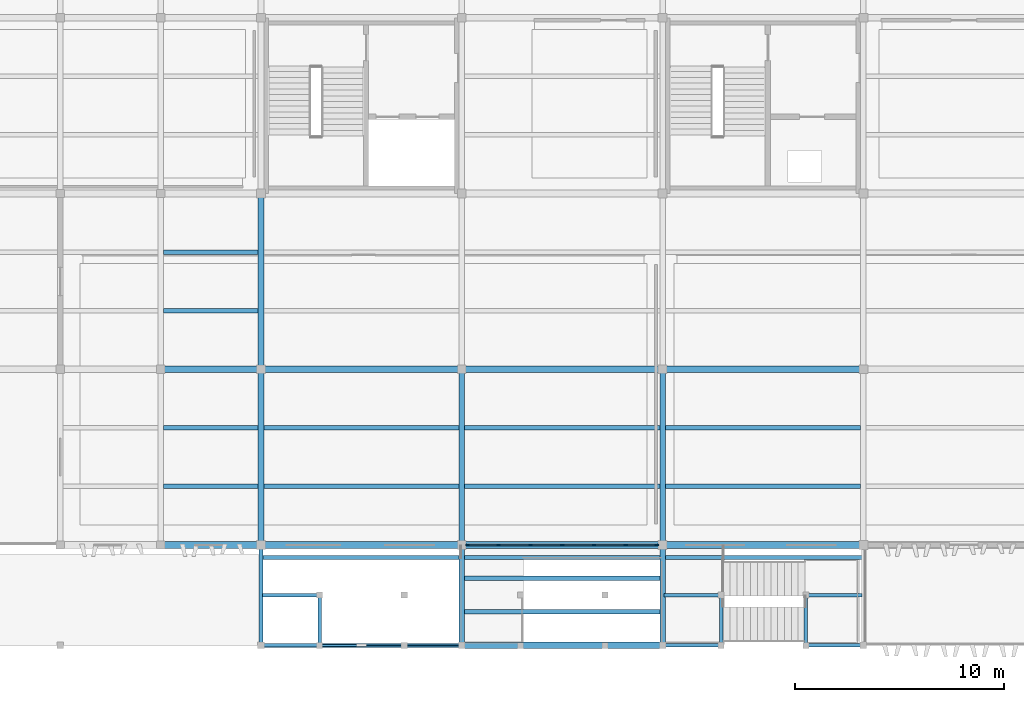
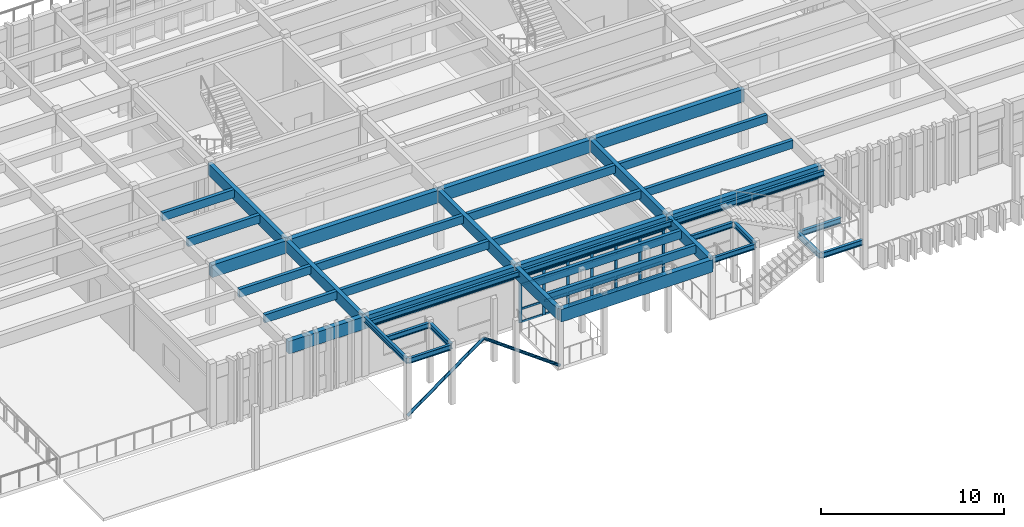
# One storey, part 13 of 61: 40 beams, 33 members, 1 element without a shape of its own.
"""IFC4 building model written with IfcOpenShell, lengths in metres."""

import ifcopenshell
import ifcopenshell.guid

model = None  # the IFC model being written
_history = None  # IfcOwnerHistory: only IFC2X3 demands one
_inside = {}  # id of a spatial element -> (the spatial element, [elements in it])
_under = {}  # id of a project, library or spatial element -> (it, [spatial elements below it])
_declared = {}  # id of a project -> (the project, [libraries it declares])
_typed = {}  # id of a type object -> (the type object, [elements of that type])
_made_of = {}  # id of a material, layer set ... -> (it, [elements and type objects made of it])


def new_model(schema):
    """Start an empty IFC model of exactly this schema.

    Asked for "IFC4X3", IfcOpenShell would pick the latest addendum, in which some entities
    have other attributes; the version numbers below select the first issue.
    IFC2X3 requires an IfcOwnerHistory on every rooted entity: one is made here for all.
    """
    global model, _history
    if schema == "IFC4X3":
        model = ifcopenshell.file(schema_version=(4, 3, 0, 0))
    else:
        model = ifcopenshell.file(schema=schema)
    _inside.clear()
    _under.clear()
    _declared.clear()
    _typed.clear()
    _made_of.clear()
    _history = None
    if model.schema == "IFC2X3":
        org = make("IfcOrganization", Name="unknown")
        user = make(
            "IfcPersonAndOrganization",
            ThePerson=make("IfcPerson", FamilyName="unknown"),
            TheOrganization=org,
        )
        app = make(
            "IfcApplication",
            ApplicationDeveloper=org,
            Version="unknown",
            ApplicationFullName="unknown",
            ApplicationIdentifier="unknown",
        )
        _history = make(
            "IfcOwnerHistory",
            OwningUser=user,
            OwningApplication=app,
            ChangeAction="ADDED",
            CreationDate=0,
        )
    return model


def make(cls, **values):
    """One entity of the class cls with the attributes given. An attribute that is None is left unset."""
    return model.create_entity(
        cls, **{name: value for name, value in values.items() if value is not None}
    )


def rooted(cls, **values):
    """An entity with a GlobalId (a new one), such as an element, a storey or a relation."""
    return make(cls, GlobalId=ifcopenshell.guid.new(), OwnerHistory=_history, **values)


def si_unit(unit_type, name, prefix=None):
    """IfcSIUnit, for example si_unit("LENGTHUNIT", "METRE", prefix="MILLI")."""
    return make("IfcSIUnit", UnitType=unit_type, Prefix=prefix, Name=name)


def assignment(units):
    """IfcUnitAssignment: the units of a project."""
    return None if units is None else make("IfcUnitAssignment", Units=units)


def point(xyz):
    """IfcCartesianPoint."""
    return None if xyz is None else make("IfcCartesianPoint", Coordinates=xyz)


def direction(xyz):
    """IfcDirection."""
    return None if xyz is None else make("IfcDirection", DirectionRatios=xyz)


def frame(location, z_axis=None, x_axis=None):
    """IfcAxis2Placement3D, a coordinate frame: its origin and axes. An axis left out is left unset."""
    return make(
        "IfcAxis2Placement3D",
        Location=point(location),
        Axis=direction(z_axis),
        RefDirection=direction(x_axis),
    )


def frame_2d(location, x_axis=None):
    """IfcAxis2Placement2D, a coordinate frame in the plane: its origin and x axis."""
    return make(
        "IfcAxis2Placement2D", Location=point(location), RefDirection=direction(x_axis)
    )


def origin():
    """The frame at (0, 0, 0) with its axes left unset."""
    return frame((0.0, 0.0, 0.0))


def origin_2d():
    """The frame at (0, 0) in the plane with its x axis left unset."""
    return frame_2d((0.0, 0.0))


def place(relative_to, where):
    """IfcLocalPlacement: puts the frame where relative to a parent placement (None: the world)."""
    return make(
        "IfcLocalPlacement", PlacementRelTo=relative_to, RelativePlacement=where
    )


def context(
    kind, dimensions, precision=None, world=None, true_north=None, identifier=None
):
    """IfcGeometricRepresentationContext, for example the 3D "Model" context."""
    return make(
        "IfcGeometricRepresentationContext",
        ContextIdentifier=identifier,
        ContextType=kind,
        CoordinateSpaceDimension=dimensions,
        Precision=precision,
        WorldCoordinateSystem=world,
        TrueNorth=true_north,
    )


def subcontext(parent, identifier, kind, view, scale=None):
    """IfcGeometricRepresentationSubContext, for example "Body" below "Model"."""
    return make(
        "IfcGeometricRepresentationSubContext",
        ContextIdentifier=identifier,
        ContextType=kind,
        ParentContext=parent,
        TargetScale=scale,
        TargetView=view,
    )


def project(units=None, contexts=None):
    """IfcProject with its units and contexts."""
    return rooted(
        "IfcProject",
        Name="project",
        RepresentationContexts=contexts,
        UnitsInContext=assignment(units),
    )


def spatial(cls, under=None, at=None, **own):
    """A site, building, storey or space (cls), placed at a placement, below another one or the project."""
    s = rooted(cls, ObjectPlacement=at, **own)
    if under is not None:
        _under.setdefault(under.id(), (under, []))[1].append(s)
    return s


def profile(cls, at=None, kind="AREA", **sizes):
    """A parametric profile (cls). Its sizes go by their IFC names, for example OverallWidth=200.0."""
    return make(cls, ProfileType=kind, Position=at, **sizes)


def rectangle(**sizes):
    """IfcRectangleProfileDef."""
    return profile("IfcRectangleProfileDef", **sizes)


def hollow_circle(**sizes):
    """IfcCircleHollowProfileDef."""
    return profile("IfcCircleHollowProfileDef", **sizes)


def i_section(**sizes):
    """IfcIShapeProfileDef."""
    return profile("IfcIShapeProfileDef", **sizes)


def extrude(swept, where, along, depth):
    """IfcExtrudedAreaSolid: the profile swept, set in the frame where, extruded along a direction by depth."""
    return make(
        "IfcExtrudedAreaSolid",
        SweptArea=swept,
        Position=where,
        ExtrudedDirection=direction(along),
        Depth=depth,
    )


def shape(context_of_items, identifier, shape_type, items):
    """IfcShapeRepresentation: the items that make up one representation, for example the "Body"."""
    return make(
        "IfcShapeRepresentation",
        ContextOfItems=context_of_items,
        RepresentationIdentifier=identifier,
        RepresentationType=shape_type,
        Items=items,
    )


def material(Name=None, Category=None):
    """IfcMaterial."""
    return make("IfcMaterial", Name=Name, Category=Category)


def layer(
    of_material, thickness, ventilated=None, Name=None, Category=None, Priority=None
):
    """IfcMaterialLayer: one layer of a wall or slab, of a material (None: an air gap)."""
    return make(
        "IfcMaterialLayer",
        Material=of_material,
        LayerThickness=thickness,
        IsVentilated=ventilated,
        Name=Name,
        Category=Category,
        Priority=Priority,
    )


def layer_set(layers, Name=None):
    """IfcMaterialLayerSet."""
    return make("IfcMaterialLayerSet", MaterialLayers=layers, LayerSetName=Name)


def material_profile(
    of_material, cross_section, Name=None, Category=None, Priority=None
):
    """IfcMaterialProfile: a cross section and its material."""
    return make(
        "IfcMaterialProfile",
        Name=Name,
        Material=of_material,
        Profile=cross_section,
        Priority=Priority,
        Category=Category,
    )


def profile_set(profiles, Name=None, composite=None):
    """IfcMaterialProfileSet."""
    return make(
        "IfcMaterialProfileSet",
        Name=Name,
        MaterialProfiles=profiles,
        CompositeProfile=composite,
    )


def made_of(thing, what):
    """Note that an element or type object is made of a material, layer set ...; save() writes the relation."""
    if what is not None:
        _made_of.setdefault(what.id(), (what, []))[1].append(thing)
    return thing


def type_object(cls, material=None, **own):
    """A type object (cls), such as IfcWallType, which elements share."""
    return made_of(rooted(cls, **own), material)


def element(
    cls,
    number,
    at=None,
    inside=None,
    cuts=None,
    type_object=None,
    material=None,
    context=None,
    identifier="Body",
    shape_type=None,
    held_by="IfcProductDefinitionShape",
    body=None,
    shapes=None,
    **own,
):
    """One element of the class cls, such as IfcWall. Its Tag is "e" and its number.

    at: its placement. inside: the storey or other place that contains it. cuts: it is an
    opening in that element (IfcRelVoidsElement). A single representation is given by context,
    identifier, shape_type and body (its items); several are given by shapes. held_by: the class
    of the entity that holds the representations. save() writes the other relations.
    """
    e = rooted(cls, Tag="e%d" % number, ObjectPlacement=at, **own)
    if body is not None:
        shapes = [shape(context, identifier, shape_type, body)]
    if shapes is not None:
        e.Representation = make(held_by, Representations=shapes)
    if inside is not None:
        _inside.setdefault(inside.id(), (inside, []))[1].append(e)
    if cuts is not None:
        rooted(
            "IfcRelVoidsElement", RelatingBuildingElement=cuts, RelatedOpeningElement=e
        )
    if type_object is not None:
        _typed.setdefault(type_object.id(), (type_object, []))[1].append(e)
    return made_of(e, material)


def aggregate(whole, parts):
    """IfcRelAggregates: a whole, such as a stair, and the parts it consists of."""
    return rooted("IfcRelAggregates", RelatingObject=whole, RelatedObjects=parts)


def save(model, path):
    """Write the relations noted so far, then the file.

    IfcRelAggregates (storeys below a building ...), IfcRelContainedInSpatialStructure (elements
    in a storey), IfcRelDefinesByType, IfcRelAssociatesMaterial and IfcRelDeclares: one each for
    every whole, place, type object, material and project.
    """
    for whole, parts in _under.values():
        aggregate(whole, parts)
    for where, things in _inside.values():
        rooted(
            "IfcRelContainedInSpatialStructure",
            RelatedElements=things,
            RelatingStructure=where,
        )
    for kind, things in _typed.values():
        rooted("IfcRelDefinesByType", RelatedObjects=things, RelatingType=kind)
    for what, things in _made_of.values():
        rooted("IfcRelAssociatesMaterial", RelatedObjects=things, RelatingMaterial=what)
    for by, libraries in _declared.values():
        rooted("IfcRelDeclares", RelatingContext=by, RelatedDefinitions=libraries)
    model.write(path)


model = new_model("IFC4")

# Units and contexts
model_context = context("Model", 3, precision=1e-05, world=origin(), true_north=direction((0.0, 1.0)))
body_context = subcontext(model_context, "Body", "Model", "MODEL_VIEW")
ifc_project = project(units=[si_unit("LENGTHUNIT", "METRE"), si_unit("AREAUNIT", "SQUARE_METRE"), si_unit("VOLUMEUNIT", "CUBIC_METRE"), si_unit("PLANEANGLEUNIT", "RADIAN"), si_unit("MASSUNIT", "GRAM", prefix="KILO")], contexts=[model_context])

# Site, building, storey
site_placement = place(None, origin())
site = spatial("IfcSite", under=ifc_project, at=site_placement, CompositionType="ELEMENT")
building_placement = place(site_placement, origin())
building = spatial("IfcBuilding", under=site, at=building_placement, Name="Kolvemor Railside Polytechnic", CompositionType="ELEMENT")
storey_placement = place(building_placement, frame((0.0, 0.0, 10.199951171875)))
storey = spatial("IfcBuildingStorey", under=building, at=storey_placement, Name="L02", CompositionType="ELEMENT", Elevation=10.199951171875)

# Beams
ifc_material_1 = material(Name="Glulam GL28h", Category="wood")
ifc_material_profile_1 = material_profile(ifc_material_1, rectangle(XDim=0.264892578125, YDim=0.760009765625, at=origin_2d()), Name="GL265x760")
ifc_profile_set_1 = profile_set([ifc_material_profile_1], Name="Glulam GL28h")
beam_type_1 = type_object("IfcBeamType", Name="BM-GL-GIRD1", PredefinedType="BEAM", material=ifc_profile_set_1)
beam_1_placement = place(storey_placement, frame((67.199951171875, 4.800048828125, 3.570068359375), z_axis=(0.0, 1.0, 0.0), x_axis=(-1.0, 0.0, 0.0)))
element("IfcBeam", 1, at=beam_1_placement, inside=storey, type_object=beam_type_1, Name="Primary Girder L03-GY 1269", PredefinedType="BEAM", context=body_context, shape_type="SweptSolid", body=[
    extrude(rectangle(XDim=0.264892578125, YDim=0.760009765625, at=origin_2d()), origin(), (0.0, 0.0, 1.0), 8.39990234375),
])
beam_2_placement = place(storey_placement, frame((67.199951171875, 13.199951171875, 3.570068359375), z_axis=(0.0, 1.0, 0.0), x_axis=(-1.0, 0.0, 0.0)))
element("IfcBeam", 2, at=beam_2_placement, inside=storey, type_object=beam_type_1, Name="Primary Girder L03-GY 1270", PredefinedType="BEAM", context=body_context, shape_type="SweptSolid", body=[
    extrude(rectangle(XDim=0.264892578125, YDim=0.760009765625, at=origin_2d()), origin(), (0.0, 0.0, 1.0), 8.400146484375),
])
for number, where, z_axis, x_axis, name in (
    (3, (76.800048828125, 4.800048828125, 3.570068359375), (0.0, 1.0, 0.0), (-1.0, 0.0, 0.0), "Primary Girder L03-GY 1273"),
    (4, (86.39990234375, 4.800048828125, 3.570068359375), (0.0, 1.0, 0.0), (-1.0, 0.0, 0.0), "Primary Girder L03-GY 1277"),
):
    element("IfcBeam", number, at=place(storey_placement, frame(where, z_axis=z_axis, x_axis=x_axis)), inside=storey, type_object=beam_type_1, Name=name, PredefinedType="BEAM", context=body_context, shape_type="SweptSolid", body=[
        extrude(rectangle(XDim=0.264892578125, YDim=0.760009765625, at=origin_2d()), origin(), (0.0, 0.0, 1.0), 8.39990234375),
    ])
for number, where, z_axis, x_axis, name in (
    (5, (76.800048828125, 0.0, 3.570068359375), (0.0, 1.0, 0.0), (-1.0, 0.0, 0.0), "Primary Girder L03-GY 1921"),
    (6, (86.39990234375, 0.0, 3.570068359375), (0.0, 1.0, 0.0), (-1.0, 0.0, 0.0), "Primary Girder L03-GY 1922"),
):
    element("IfcBeam", number, at=place(storey_placement, frame(where, z_axis=z_axis, x_axis=x_axis)), inside=storey, type_object=beam_type_1, Name=name, PredefinedType="BEAM", context=body_context, shape_type="SweptSolid", body=[
        extrude(rectangle(XDim=0.264892578125, YDim=0.760009765625, at=origin_2d()), origin(), (0.0, 0.0, 1.0), 4.800048828125),
    ])
ifc_material_2 = material(Name="Glulam GL28h", Category="wood")
ifc_material_profile_2 = material_profile(ifc_material_2, rectangle(XDim=0.31494140625, YDim=0.840087890625, at=origin_2d()), Name="GL315x840")
ifc_profile_set_2 = profile_set([ifc_material_profile_2], Name="Glulam GL28h")
beam_type_2 = type_object("IfcBeamType", Name="BM-GL-GIRD3", PredefinedType="BEAM", material=ifc_profile_set_2)
beam_3_placement = place(storey_placement, frame((62.39990234375, 4.800048828125, 3.530029296875), z_axis=(1.0, 0.0, 0.0), x_axis=(0.0, 1.0, 0.0)))
element("IfcBeam", 7, at=beam_3_placement, inside=storey, type_object=beam_type_2, Name="Primary Girder L03-GX 1217", PredefinedType="BEAM", context=body_context, shape_type="SweptSolid", body=[
    extrude(rectangle(XDim=0.31494140625, YDim=0.840087890625, at=origin_2d()), origin(), (0.0, 0.0, 1.0), 4.800048828125),
])
beam_4_placement = place(storey_placement, frame((67.199951171875, 4.800048828125, 3.530029296875), z_axis=(1.0, 0.0, 0.0), x_axis=(0.0, 1.0, 0.0)))
element("IfcBeam", 8, at=beam_4_placement, inside=storey, type_object=beam_type_2, Name="Primary Girder L03-GX 1218", PredefinedType="BEAM", context=body_context, shape_type="SweptSolid", body=[
    extrude(rectangle(XDim=0.31494140625, YDim=0.840087890625, at=origin_2d()), origin(), (0.0, 0.0, 1.0), 9.60009765625),
])
beam_5_placement = place(storey_placement, frame((76.800048828125, 4.800048828125, 3.530029296875), z_axis=(1.0, 0.0, 0.0), x_axis=(0.0, 1.0, 0.0)))
element("IfcBeam", 9, at=beam_5_placement, inside=storey, type_object=beam_type_2, Name="Primary Girder L03-GX 1219", PredefinedType="BEAM", context=body_context, shape_type="SweptSolid", body=[
    extrude(rectangle(XDim=0.31494140625, YDim=0.840087890625, at=origin_2d()), origin(), (0.0, 0.0, 1.0), 9.599853515625),
])
beam_6_placement = place(storey_placement, frame((86.39990234375, 4.800048828125, 3.530029296875), z_axis=(1.0, 0.0, 0.0), x_axis=(0.0, 1.0, 0.0)))
element("IfcBeam", 10, at=beam_6_placement, inside=storey, type_object=beam_type_2, Name="Primary Girder L03-GX 1220", PredefinedType="BEAM", context=body_context, shape_type="SweptSolid", body=[
    extrude(rectangle(XDim=0.31494140625, YDim=0.840087890625, at=origin_2d()), origin(), (0.0, 0.0, 1.0), 9.60009765625),
])
beam_7_placement = place(storey_placement, frame((62.39990234375, 13.199951171875, 3.530029296875), z_axis=(1.0, 0.0, 0.0), x_axis=(0.0, 1.0, 0.0)))
element("IfcBeam", 11, at=beam_7_placement, inside=storey, type_object=beam_type_2, Name="Primary Girder L03-GX 1226", PredefinedType="BEAM", context=body_context, shape_type="SweptSolid", body=[
    extrude(rectangle(XDim=0.31494140625, YDim=0.840087890625, at=origin_2d()), origin(), (0.0, 0.0, 1.0), 4.800048828125),
])
beam_8_placement = place(storey_placement, frame((67.199951171875, 13.199951171875, 3.530029296875), z_axis=(1.0, 0.0, 0.0), x_axis=(0.0, 1.0, 0.0)))
element("IfcBeam", 12, at=beam_8_placement, inside=storey, type_object=beam_type_2, Name="Primary Girder L03-GX 1227", PredefinedType="BEAM", context=body_context, shape_type="SweptSolid", body=[
    extrude(rectangle(XDim=0.31494140625, YDim=0.840087890625, at=origin_2d()), origin(), (0.0, 0.0, 1.0), 9.60009765625),
])
beam_9_placement = place(storey_placement, frame((76.800048828125, 13.199951171875, 3.530029296875), z_axis=(1.0, 0.0, 0.0), x_axis=(0.0, 1.0, 0.0)))
element("IfcBeam", 13, at=beam_9_placement, inside=storey, type_object=beam_type_2, Name="Primary Girder L03-GX 1228", PredefinedType="BEAM", context=body_context, shape_type="SweptSolid", body=[
    extrude(rectangle(XDim=0.31494140625, YDim=0.840087890625, at=origin_2d()), origin(), (0.0, 0.0, 1.0), 9.599853515625),
])
beam_10_placement = place(storey_placement, frame((86.39990234375, 13.199951171875, 3.530029296875), z_axis=(1.0, 0.0, 0.0), x_axis=(0.0, 1.0, 0.0)))
element("IfcBeam", 14, at=beam_10_placement, inside=storey, type_object=beam_type_2, Name="Primary Girder L03-GX 1229", PredefinedType="BEAM", context=body_context, shape_type="SweptSolid", body=[
    extrude(rectangle(XDim=0.31494140625, YDim=0.840087890625, at=origin_2d()), origin(), (0.0, 0.0, 1.0), 9.60009765625),
])
beam_11_placement = place(storey_placement, frame((76.800048828125, 0.0, 3.530029296875), z_axis=(1.0, 0.0, 0.0), x_axis=(0.0, 1.0, 0.0)))
element("IfcBeam", 15, at=beam_11_placement, inside=storey, type_object=beam_type_2, Name="Primary Girder L03-GX 1920", PredefinedType="BEAM", context=body_context, shape_type="SweptSolid", body=[
    extrude(rectangle(XDim=0.31494140625, YDim=0.840087890625, at=origin_2d()), origin(), (0.0, 0.0, 1.0), 9.599853515625),
])
ifc_material_3 = material(Name="Glulam GL28h", Category="wood")
ifc_material_profile_3 = material_profile(ifc_material_3, rectangle(XDim=0.215087890625, YDim=0.5400390625, at=origin_2d()), Name="GL215x540")
ifc_profile_set_3 = profile_set([ifc_material_profile_3], Name="Glulam GL28h")
beam_type_3 = type_object("IfcBeamType", Name="BM-GL-JST1", PredefinedType="JOIST", material=ifc_profile_set_3)
for number, where, z_axis, x_axis, name in (
    (16, (62.532958984375, 7.60009765625, 3.679931640625), (1.0, 0.0, 0.0), (0.0, 1.0, 0.0), "Floor Joist L03-J1309"),
    (17, (62.532958984375, 10.39990234375, 3.679931640625), (1.0, 0.0, 0.0), (0.0, 1.0, 0.0), "Floor Joist L03-J1310"),
    (18, (62.532958984375, 16.0, 3.679931640625), (1.0, 0.0, 0.0), (0.0, 1.0, 0.0), "Floor Joist L03-J1311"),
    (19, (62.532958984375, 18.800048828125, 3.679931640625), (1.0, 0.0, 0.0), (0.0, 1.0, 0.0), "Floor Joist L03-J1312"),
):
    element("IfcBeam", number, at=place(storey_placement, frame(where, z_axis=z_axis, x_axis=x_axis)), inside=storey, type_object=beam_type_3, Name=name, PredefinedType="JOIST", context=body_context, shape_type="SweptSolid", body=[
        extrude(rectangle(XDim=0.215087890625, YDim=0.5400390625, at=origin_2d()), origin(), (0.0, 0.0, 1.0), 4.533935546875),
    ])
for number, where, z_axis, x_axis, name in (
    (20, (67.3330078125, 7.60009765625, 3.679931640625), (1.0, 0.0, 0.0), (0.0, 1.0, 0.0), "Floor Joist L03-J1317"),
    (21, (67.3330078125, 10.39990234375, 3.679931640625), (1.0, 0.0, 0.0), (0.0, 1.0, 0.0), "Floor Joist L03-J1318"),
    (22, (76.93310546875, 7.60009765625, 3.679931640625), (1.0, 0.0, 0.0), (0.0, 1.0, 0.0), "Floor Joist L03-J1323"),
    (23, (76.93310546875, 10.39990234375, 3.679931640625), (1.0, 0.0, 0.0), (0.0, 1.0, 0.0), "Floor Joist L03-J1324"),
    (24, (86.532958984375, 7.60009765625, 3.679931640625), (1.0, 0.0, 0.0), (0.0, 1.0, 0.0), "Floor Joist L03-J1331"),
    (25, (86.532958984375, 10.39990234375, 3.679931640625), (1.0, 0.0, 0.0), (0.0, 1.0, 0.0), "Floor Joist L03-J1332"),
    (26, (76.93310546875, 1.60009765625, 3.679931640625), (1.0, 0.0, 0.0), (0.0, 1.0, 0.0), "Floor Joist L03-J1923"),
    (27, (76.93310546875, 3.199951171875, 3.679931640625), (1.0, 0.0, 0.0), (0.0, 1.0, 0.0), "Floor Joist L03-J1924"),
):
    element("IfcBeam", number, at=place(storey_placement, frame(where, z_axis=z_axis, x_axis=x_axis)), inside=storey, type_object=beam_type_3, Name=name, PredefinedType="JOIST", context=body_context, shape_type="SweptSolid", body=[
        extrude(rectangle(XDim=0.215087890625, YDim=0.5400390625, at=origin_2d()), origin(), (0.0, 0.0, 1.0), 9.333984375),
    ])
ifc_material_4 = material(Name="Steel S355", Category="steel")
ifc_material_profile_4 = material_profile(ifc_material_4, i_section(OverallWidth=0.172119140625, OverallDepth=0.35791015625, WebThickness=0.0078125, FlangeThickness=0.01318359375, FilletRadius=0.010986328125, at=origin_2d()), Name="W360x57")
ifc_profile_set_4 = profile_set([ifc_material_profile_4], Name="Steel S355")
beam_type_4 = type_object("IfcBeamType", Name="BM-ST-COLL", PredefinedType="BEAM", material=ifc_profile_set_4)
beam_12_placement = place(storey_placement, frame((89.199951171875, 0.0, 3.801025390625), z_axis=(0.0, 1.0, 0.0), x_axis=(-1.0, 0.0, 0.0)))
element("IfcBeam", 28, at=beam_12_placement, inside=storey, type_object=beam_type_4, Name="Zigzag Stair Top Beam L03 2053", PredefinedType="BEAM", context=body_context, shape_type="SweptSolid", body=[
    extrude(i_section(OverallWidth=0.172119140625, OverallDepth=0.35791015625, WebThickness=0.0078125, FlangeThickness=0.01318359375, FilletRadius=0.010986328125, at=origin_2d()), origin(), (0.0, 0.0, 1.0), 2.39990234375),
])
for number, where, z_axis, x_axis, name in (
    (29, (86.47509765625, 0.0, 3.801025390625), (1.0, 0.0, 0.0), (0.0, 1.0, 0.0), "Zigzag Stair Top Tie L03 2054"),
    (30, (86.47509765625, 2.39990234375, 3.801025390625), (1.0, 0.0, 0.0), (0.0, 1.0, 0.0), "Zigzag Stair Top Tie L03 2055"),
):
    element("IfcBeam", number, at=place(storey_placement, frame(where, z_axis=z_axis, x_axis=x_axis)), inside=storey, type_object=beam_type_4, Name=name, PredefinedType="BEAM", context=body_context, shape_type="SweptSolid", body=[
        extrude(i_section(OverallWidth=0.172119140625, OverallDepth=0.35791015625, WebThickness=0.0078125, FlangeThickness=0.01318359375, FilletRadius=0.010986328125, at=origin_2d()), origin(), (0.0, 0.0, 1.0), 2.64990234375),
    ])
beam_13_placement = place(storey_placement, frame((67.199951171875, 0.0, 3.801025390625), z_axis=(0.0, 1.0, 0.0), x_axis=(-1.0, 0.0, 0.0)))
element("IfcBeam", 31, at=beam_13_placement, inside=storey, type_object=beam_type_4, Name="Zigzag Stair Departure Beam L03 2056", PredefinedType="BEAM", context=body_context, shape_type="SweptSolid", body=[
    extrude(i_section(OverallWidth=0.172119140625, OverallDepth=0.35791015625, WebThickness=0.0078125, FlangeThickness=0.01318359375, FilletRadius=0.010986328125, at=origin_2d()), origin(), (0.0, 0.0, 1.0), 4.800048828125),
])
beam_14_placement = place(storey_placement, frame((70.0, 0.0, 3.801025390625), z_axis=(0.0, 1.0, 0.0), x_axis=(-1.0, 0.0, 0.0)))
element("IfcBeam", 32, at=beam_14_placement, inside=storey, type_object=beam_type_4, Name="Zigzag Stair Departure Beam L03 2057", PredefinedType="BEAM", context=body_context, shape_type="SweptSolid", body=[
    extrude(i_section(OverallWidth=0.172119140625, OverallDepth=0.35791015625, WebThickness=0.0078125, FlangeThickness=0.01318359375, FilletRadius=0.010986328125, at=origin_2d()), origin(), (0.0, 0.0, 1.0), 2.39990234375),
])
for number, where, z_axis, x_axis, name in (
    (33, (67.27490234375, 0.0, 3.801025390625), (1.0, 0.0, 0.0), (0.0, 1.0, 0.0), "Zigzag Stair Departure Tie L03 2058"),
    (34, (67.27490234375, 2.39990234375, 3.801025390625), (1.0, 0.0, 0.0), (0.0, 1.0, 0.0), "Zigzag Stair Departure Tie L03 2059"),
):
    element("IfcBeam", number, at=place(storey_placement, frame(where, z_axis=z_axis, x_axis=x_axis)), inside=storey, type_object=beam_type_4, Name=name, PredefinedType="BEAM", context=body_context, shape_type="SweptSolid", body=[
        extrude(i_section(OverallWidth=0.172119140625, OverallDepth=0.35791015625, WebThickness=0.0078125, FlangeThickness=0.01318359375, FilletRadius=0.010986328125, at=origin_2d()), origin(), (0.0, 0.0, 1.0), 2.650146484375),
    ])
for number, where, z_axis, x_axis, name in (
    (35, (67.280029296875, 4.199951171875, 3.7861328125), (1.0, 0.0, 0.0), (0.0, 1.0, 0.0), "Zigzag Rear Gallery Beam L03 2060"),
    (36, (76.93798828125, 4.199951171875, 3.7861328125), (1.0, 0.0, 0.0), (0.0, 1.0, 0.0), "Zigzag Rear Gallery Beam L03 2061"),
):
    element("IfcBeam", number, at=place(storey_placement, frame(where, z_axis=z_axis, x_axis=x_axis)), inside=storey, type_object=beam_type_4, Name=name, PredefinedType="BEAM", context=body_context, shape_type="SweptSolid", body=[
        extrude(i_section(OverallWidth=0.172119140625, OverallDepth=0.35791015625, WebThickness=0.0078125, FlangeThickness=0.01318359375, FilletRadius=0.010986328125, at=origin_2d()), origin(), (0.0, 0.0, 1.0), 9.382080078125),
    ])
beam_15_placement = place(storey_placement, frame((86.47998046875, 4.199951171875, 3.7861328125), z_axis=(1.0, 0.0, 0.0), x_axis=(0.0, 1.0, 0.0)))
element("IfcBeam", 37, at=beam_15_placement, inside=storey, type_object=beam_type_4, Name="Zigzag Rear Gallery Beam L03 2062", PredefinedType="BEAM", context=body_context, shape_type="SweptSolid", body=[
    extrude(i_section(OverallWidth=0.172119140625, OverallDepth=0.35791015625, WebThickness=0.0078125, FlangeThickness=0.01318359375, FilletRadius=0.010986328125, at=origin_2d()), origin(), (0.0, 0.0, 1.0), 9.43994140625),
])
beam_16_placement = place(storey_placement, frame((93.25, 0.0, 1.700927734375), z_axis=(0.0, 1.0, 0.0), x_axis=(-1.0, 0.0, 0.0)))
element("IfcBeam", 38, at=beam_16_placement, inside=storey, type_object=beam_type_4, Name="Zigzag Stair Mid Beam L02 2064", PredefinedType="BEAM", context=body_context, shape_type="SweptSolid", body=[
    extrude(i_section(OverallWidth=0.172119140625, OverallDepth=0.35791015625, WebThickness=0.0078125, FlangeThickness=0.01318359375, FilletRadius=0.010986328125, at=origin_2d()), origin(), (0.0, 0.0, 1.0), 2.39990234375),
])
for number, where, z_axis, x_axis, name in (
    (39, (93.324951171875, 0.0, 1.700927734375), (1.0, 0.0, 0.0), (0.0, 1.0, 0.0), "Zigzag Stair Mid Tie L02 2065"),
    (40, (93.324951171875, 2.39990234375, 1.700927734375), (1.0, 0.0, 0.0), (0.0, 1.0, 0.0), "Zigzag Stair Mid Tie L02 2066"),
):
    element("IfcBeam", number, at=place(storey_placement, frame(where, z_axis=z_axis, x_axis=x_axis)), inside=storey, type_object=beam_type_4, Name=name, PredefinedType="BEAM", context=body_context, shape_type="SweptSolid", body=[
        extrude(i_section(OverallWidth=0.172119140625, OverallDepth=0.35791015625, WebThickness=0.0078125, FlangeThickness=0.01318359375, FilletRadius=0.010986328125, at=origin_2d()), origin(), (0.0, 0.0, 1.0), 2.60009765625),
    ])

# Curtain wall, members
ifc_material_5 = material(Name="Anodised marine aluminium and laminated low-E glass", Category="aluminium")
ifc_layer = layer(ifc_material_5, 0.179931640625, Name="CW-UNIT-STD")
ifc_layer_set = layer_set([ifc_layer], Name="Anodised marine aluminium and laminated low-E glass")
curtain_wall_type = type_object("IfcCurtainWallType", Name="CW-UNIT-STD", PredefinedType="USERDEFINED", material=ifc_layer_set)
curtain_wall_placement = place(storey_placement, origin())
curtain_wall = element("IfcCurtainWall", 41, at=curtain_wall_placement, inside=storey, type_object=curtain_wall_type, Name="Curtain Wall L02-098", ObjectType="UNITISED CURTAIN WALL", PredefinedType="USERDEFINED")
ifc_material_6 = material(Name="Anodised marine aluminium 6063-T6", Category="aluminium")
ifc_material_profile_5 = material_profile(ifc_material_6, rectangle(XDim=0.074951171875, YDim=0.179931640625, at=origin_2d()), Name="CW-MUL-75x180")
ifc_profile_set_5 = profile_set([ifc_material_profile_5], Name="Anodised marine aluminium 6063-T6")
member_type_1 = type_object("IfcMemberType", Name="CWM-75x180", PredefinedType="MULLION", material=ifc_profile_set_5)
member_1_placement = place(storey_placement, frame((77.077392578125, 4.800048828125, 0.0), z_axis=(0.0, 0.0, 1.0), x_axis=(0.0, 1.0, 0.0)))
member_1 = element("IfcMember", 42, at=member_1_placement, type_object=member_type_1, Name="CW-STD mullion 1", PredefinedType="MULLION", context=body_context, shape_type="SweptSolid", body=[
    extrude(rectangle(XDim=0.074951171875, YDim=0.179931640625, at=origin_2d()), origin(), (0.0, 0.0, 1.0), 3.050048828125),
])
member_2_placement = place(storey_placement, frame((78.56005859375, 4.800048828125, 0.0), z_axis=(0.0, 0.0, 1.0), x_axis=(0.0, 1.0, 0.0)))
member_2 = element("IfcMember", 43, at=member_2_placement, type_object=member_type_1, Name="CW-STD mullion 2", PredefinedType="MULLION", context=body_context, shape_type="SweptSolid", body=[
    extrude(rectangle(XDim=0.074951171875, YDim=0.179931640625, at=origin_2d()), origin(), (0.0, 0.0, 1.0), 3.050048828125),
])
member_3_placement = place(storey_placement, frame((80.080078125, 4.800048828125, 0.0), z_axis=(0.0, 0.0, 1.0), x_axis=(0.0, 1.0, 0.0)))
member_3 = element("IfcMember", 44, at=member_3_placement, type_object=member_type_1, Name="CW-STD mullion 3", PredefinedType="MULLION", context=body_context, shape_type="SweptSolid", body=[
    extrude(rectangle(XDim=0.074951171875, YDim=0.179931640625, at=origin_2d()), origin(), (0.0, 0.0, 1.0), 3.050048828125),
])
member_4_placement = place(storey_placement, frame((81.60009765625, 4.800048828125, 0.0), z_axis=(0.0, 0.0, 1.0), x_axis=(0.0, 1.0, 0.0)))
member_4 = element("IfcMember", 45, at=member_4_placement, type_object=member_type_1, Name="CW-STD mullion 4", PredefinedType="MULLION", context=body_context, shape_type="SweptSolid", body=[
    extrude(rectangle(XDim=0.074951171875, YDim=0.179931640625, at=origin_2d()), origin(), (0.0, 0.0, 1.0), 3.050048828125),
])
member_5_placement = place(storey_placement, frame((83.1201171875, 4.800048828125, 0.0), z_axis=(0.0, 0.0, 1.0), x_axis=(0.0, 1.0, 0.0)))
member_5 = element("IfcMember", 46, at=member_5_placement, type_object=member_type_1, Name="CW-STD mullion 5", PredefinedType="MULLION", context=body_context, shape_type="SweptSolid", body=[
    extrude(rectangle(XDim=0.074951171875, YDim=0.179931640625, at=origin_2d()), origin(), (0.0, 0.0, 1.0), 3.050048828125),
])
member_6_placement = place(storey_placement, frame((84.639892578125, 4.800048828125, 0.0), z_axis=(0.0, 0.0, 1.0), x_axis=(0.0, 1.0, 0.0)))
member_6 = element("IfcMember", 47, at=member_6_placement, type_object=member_type_1, Name="CW-STD mullion 6", PredefinedType="MULLION", context=body_context, shape_type="SweptSolid", body=[
    extrude(rectangle(XDim=0.074951171875, YDim=0.179931640625, at=origin_2d()), origin(), (0.0, 0.0, 1.0), 3.050048828125),
])
member_7_placement = place(storey_placement, frame((86.12255859375, 4.800048828125, 0.0), z_axis=(0.0, 0.0, 1.0), x_axis=(0.0, 1.0, 0.0)))
member_7 = element("IfcMember", 48, at=member_7_placement, type_object=member_type_1, Name="CW-STD mullion 7", PredefinedType="MULLION", context=body_context, shape_type="SweptSolid", body=[
    extrude(rectangle(XDim=0.074951171875, YDim=0.179931640625, at=origin_2d()), origin(), (0.0, 0.0, 1.0), 3.050048828125),
])
ifc_material_7 = material(Name="Anodised marine aluminium 6063-T6", Category="aluminium")
ifc_material_profile_6 = material_profile(ifc_material_7, rectangle(XDim=0.074951171875, YDim=0.139892578125, at=origin_2d()), Name="CW-TRN-75x140")
ifc_profile_set_6 = profile_set([ifc_material_profile_6], Name="Anodised marine aluminium 6063-T6")
member_type_2 = type_object("IfcMemberType", Name="CWT-75x140", PredefinedType="USERDEFINED", material=ifc_profile_set_6)
member_8_placement = place(storey_placement, frame((77.114990234375, 4.800048828125, 0.03759765625), z_axis=(1.0, 0.0, 0.0), x_axis=(0.0, 1.0, 0.0)))
member_8 = element("IfcMember", 49, at=member_8_placement, type_object=member_type_2, Name="CW-STD transom 1.1", ObjectType="TRANSOM", PredefinedType="USERDEFINED", context=body_context, shape_type="SweptSolid", body=[
    extrude(rectangle(XDim=0.074951171875, YDim=0.139892578125, at=origin_2d()), origin(), (0.0, 0.0, 1.0), 1.407470703125),
])
member_9_placement = place(storey_placement, frame((77.114990234375, 4.800048828125, 0.900146484375), z_axis=(1.0, 0.0, 0.0), x_axis=(0.0, 1.0, 0.0)))
member_9 = element("IfcMember", 50, at=member_9_placement, type_object=member_type_2, Name="CW-STD transom 1.2", ObjectType="TRANSOM", PredefinedType="USERDEFINED", context=body_context, shape_type="SweptSolid", body=[
    extrude(rectangle(XDim=0.074951171875, YDim=0.139892578125, at=origin_2d()), origin(), (0.0, 0.0, 1.0), 1.407470703125),
])
member_10_placement = place(storey_placement, frame((77.114990234375, 4.800048828125, 2.5), z_axis=(1.0, 0.0, 0.0), x_axis=(0.0, 1.0, 0.0)))
member_10 = element("IfcMember", 51, at=member_10_placement, type_object=member_type_2, Name="CW-STD transom 1.3", ObjectType="TRANSOM", PredefinedType="USERDEFINED", context=body_context, shape_type="SweptSolid", body=[
    extrude(rectangle(XDim=0.074951171875, YDim=0.139892578125, at=origin_2d()), origin(), (0.0, 0.0, 1.0), 1.407470703125),
])
member_11_placement = place(storey_placement, frame((77.114990234375, 4.800048828125, 3.012451171875), z_axis=(1.0, 0.0, 0.0), x_axis=(0.0, 1.0, 0.0)))
member_11 = element("IfcMember", 52, at=member_11_placement, type_object=member_type_2, Name="CW-STD transom 1.4", ObjectType="TRANSOM", PredefinedType="USERDEFINED", context=body_context, shape_type="SweptSolid", body=[
    extrude(rectangle(XDim=0.074951171875, YDim=0.139892578125, at=origin_2d()), origin(), (0.0, 0.0, 1.0), 1.407470703125),
])
member_12_placement = place(storey_placement, frame((78.597412109375, 4.800048828125, 0.03759765625), z_axis=(1.0, 0.0, 0.0), x_axis=(0.0, 1.0, 0.0)))
member_12 = element("IfcMember", 53, at=member_12_placement, type_object=member_type_2, Name="CW-STD transom 2.1", ObjectType="TRANSOM", PredefinedType="USERDEFINED", context=body_context, shape_type="SweptSolid", body=[
    extrude(rectangle(XDim=0.074951171875, YDim=0.139892578125, at=origin_2d()), origin(), (0.0, 0.0, 1.0), 1.445068359375),
])
member_13_placement = place(storey_placement, frame((78.597412109375, 4.800048828125, 0.900146484375), z_axis=(1.0, 0.0, 0.0), x_axis=(0.0, 1.0, 0.0)))
member_13 = element("IfcMember", 54, at=member_13_placement, type_object=member_type_2, Name="CW-STD transom 2.2", ObjectType="TRANSOM", PredefinedType="USERDEFINED", context=body_context, shape_type="SweptSolid", body=[
    extrude(rectangle(XDim=0.074951171875, YDim=0.139892578125, at=origin_2d()), origin(), (0.0, 0.0, 1.0), 1.445068359375),
])
member_14_placement = place(storey_placement, frame((78.597412109375, 4.800048828125, 2.5), z_axis=(1.0, 0.0, 0.0), x_axis=(0.0, 1.0, 0.0)))
member_14 = element("IfcMember", 55, at=member_14_placement, type_object=member_type_2, Name="CW-STD transom 2.3", ObjectType="TRANSOM", PredefinedType="USERDEFINED", context=body_context, shape_type="SweptSolid", body=[
    extrude(rectangle(XDim=0.074951171875, YDim=0.139892578125, at=origin_2d()), origin(), (0.0, 0.0, 1.0), 1.445068359375),
])
member_15_placement = place(storey_placement, frame((78.597412109375, 4.800048828125, 3.012451171875), z_axis=(1.0, 0.0, 0.0), x_axis=(0.0, 1.0, 0.0)))
member_15 = element("IfcMember", 56, at=member_15_placement, type_object=member_type_2, Name="CW-STD transom 2.4", ObjectType="TRANSOM", PredefinedType="USERDEFINED", context=body_context, shape_type="SweptSolid", body=[
    extrude(rectangle(XDim=0.074951171875, YDim=0.139892578125, at=origin_2d()), origin(), (0.0, 0.0, 1.0), 1.445068359375),
])
member_16_placement = place(storey_placement, frame((80.117431640625, 4.800048828125, 0.03759765625), z_axis=(1.0, 0.0, 0.0), x_axis=(0.0, 1.0, 0.0)))
member_16 = element("IfcMember", 57, at=member_16_placement, type_object=member_type_2, Name="CW-STD transom 3.1", ObjectType="TRANSOM", PredefinedType="USERDEFINED", context=body_context, shape_type="SweptSolid", body=[
    extrude(rectangle(XDim=0.074951171875, YDim=0.139892578125, at=origin_2d()), origin(), (0.0, 0.0, 1.0), 1.445068359375),
])
member_17_placement = place(storey_placement, frame((80.117431640625, 4.800048828125, 0.900146484375), z_axis=(1.0, 0.0, 0.0), x_axis=(0.0, 1.0, 0.0)))
member_17 = element("IfcMember", 58, at=member_17_placement, type_object=member_type_2, Name="CW-STD transom 3.2", ObjectType="TRANSOM", PredefinedType="USERDEFINED", context=body_context, shape_type="SweptSolid", body=[
    extrude(rectangle(XDim=0.074951171875, YDim=0.139892578125, at=origin_2d()), origin(), (0.0, 0.0, 1.0), 1.445068359375),
])
member_18_placement = place(storey_placement, frame((80.117431640625, 4.800048828125, 2.5), z_axis=(1.0, 0.0, 0.0), x_axis=(0.0, 1.0, 0.0)))
member_18 = element("IfcMember", 59, at=member_18_placement, type_object=member_type_2, Name="CW-STD transom 3.3", ObjectType="TRANSOM", PredefinedType="USERDEFINED", context=body_context, shape_type="SweptSolid", body=[
    extrude(rectangle(XDim=0.074951171875, YDim=0.139892578125, at=origin_2d()), origin(), (0.0, 0.0, 1.0), 1.445068359375),
])
member_19_placement = place(storey_placement, frame((80.117431640625, 4.800048828125, 3.012451171875), z_axis=(1.0, 0.0, 0.0), x_axis=(0.0, 1.0, 0.0)))
member_19 = element("IfcMember", 60, at=member_19_placement, type_object=member_type_2, Name="CW-STD transom 3.4", ObjectType="TRANSOM", PredefinedType="USERDEFINED", context=body_context, shape_type="SweptSolid", body=[
    extrude(rectangle(XDim=0.074951171875, YDim=0.139892578125, at=origin_2d()), origin(), (0.0, 0.0, 1.0), 1.445068359375),
])
member_20_placement = place(storey_placement, frame((81.637451171875, 4.800048828125, 0.03759765625), z_axis=(1.0, 0.0, 0.0), x_axis=(0.0, 1.0, 0.0)))
member_20 = element("IfcMember", 61, at=member_20_placement, type_object=member_type_2, Name="CW-STD transom 4.1", ObjectType="TRANSOM", PredefinedType="USERDEFINED", context=body_context, shape_type="SweptSolid", body=[
    extrude(rectangle(XDim=0.074951171875, YDim=0.139892578125, at=origin_2d()), origin(), (0.0, 0.0, 1.0), 1.445068359375),
])
member_21_placement = place(storey_placement, frame((81.637451171875, 4.800048828125, 0.900146484375), z_axis=(1.0, 0.0, 0.0), x_axis=(0.0, 1.0, 0.0)))
member_21 = element("IfcMember", 62, at=member_21_placement, type_object=member_type_2, Name="CW-STD transom 4.2", ObjectType="TRANSOM", PredefinedType="USERDEFINED", context=body_context, shape_type="SweptSolid", body=[
    extrude(rectangle(XDim=0.074951171875, YDim=0.139892578125, at=origin_2d()), origin(), (0.0, 0.0, 1.0), 1.445068359375),
])
member_22_placement = place(storey_placement, frame((81.637451171875, 4.800048828125, 2.5), z_axis=(1.0, 0.0, 0.0), x_axis=(0.0, 1.0, 0.0)))
member_22 = element("IfcMember", 63, at=member_22_placement, type_object=member_type_2, Name="CW-STD transom 4.3", ObjectType="TRANSOM", PredefinedType="USERDEFINED", context=body_context, shape_type="SweptSolid", body=[
    extrude(rectangle(XDim=0.074951171875, YDim=0.139892578125, at=origin_2d()), origin(), (0.0, 0.0, 1.0), 1.445068359375),
])
member_23_placement = place(storey_placement, frame((81.637451171875, 4.800048828125, 3.012451171875), z_axis=(1.0, 0.0, 0.0), x_axis=(0.0, 1.0, 0.0)))
member_23 = element("IfcMember", 64, at=member_23_placement, type_object=member_type_2, Name="CW-STD transom 4.4", ObjectType="TRANSOM", PredefinedType="USERDEFINED", context=body_context, shape_type="SweptSolid", body=[
    extrude(rectangle(XDim=0.074951171875, YDim=0.139892578125, at=origin_2d()), origin(), (0.0, 0.0, 1.0), 1.445068359375),
])
member_24_placement = place(storey_placement, frame((83.157470703125, 4.800048828125, 0.03759765625), z_axis=(1.0, 0.0, 0.0), x_axis=(0.0, 1.0, 0.0)))
member_24 = element("IfcMember", 65, at=member_24_placement, type_object=member_type_2, Name="CW-STD transom 5.1", ObjectType="TRANSOM", PredefinedType="USERDEFINED", context=body_context, shape_type="SweptSolid", body=[
    extrude(rectangle(XDim=0.074951171875, YDim=0.139892578125, at=origin_2d()), origin(), (0.0, 0.0, 1.0), 1.445068359375),
])
member_25_placement = place(storey_placement, frame((83.157470703125, 4.800048828125, 0.900146484375), z_axis=(1.0, 0.0, 0.0), x_axis=(0.0, 1.0, 0.0)))
member_25 = element("IfcMember", 66, at=member_25_placement, type_object=member_type_2, Name="CW-STD transom 5.2", ObjectType="TRANSOM", PredefinedType="USERDEFINED", context=body_context, shape_type="SweptSolid", body=[
    extrude(rectangle(XDim=0.074951171875, YDim=0.139892578125, at=origin_2d()), origin(), (0.0, 0.0, 1.0), 1.445068359375),
])
member_26_placement = place(storey_placement, frame((83.157470703125, 4.800048828125, 2.5), z_axis=(1.0, 0.0, 0.0), x_axis=(0.0, 1.0, 0.0)))
member_26 = element("IfcMember", 67, at=member_26_placement, type_object=member_type_2, Name="CW-STD transom 5.3", ObjectType="TRANSOM", PredefinedType="USERDEFINED", context=body_context, shape_type="SweptSolid", body=[
    extrude(rectangle(XDim=0.074951171875, YDim=0.139892578125, at=origin_2d()), origin(), (0.0, 0.0, 1.0), 1.445068359375),
])
member_27_placement = place(storey_placement, frame((83.157470703125, 4.800048828125, 3.012451171875), z_axis=(1.0, 0.0, 0.0), x_axis=(0.0, 1.0, 0.0)))
member_27 = element("IfcMember", 68, at=member_27_placement, type_object=member_type_2, Name="CW-STD transom 5.4", ObjectType="TRANSOM", PredefinedType="USERDEFINED", context=body_context, shape_type="SweptSolid", body=[
    extrude(rectangle(XDim=0.074951171875, YDim=0.139892578125, at=origin_2d()), origin(), (0.0, 0.0, 1.0), 1.445068359375),
])
member_28_placement = place(storey_placement, frame((84.677490234375, 4.800048828125, 0.03759765625), z_axis=(1.0, 0.0, 0.0), x_axis=(0.0, 1.0, 0.0)))
member_28 = element("IfcMember", 69, at=member_28_placement, type_object=member_type_2, Name="CW-STD transom 6.1", ObjectType="TRANSOM", PredefinedType="USERDEFINED", context=body_context, shape_type="SweptSolid", body=[
    extrude(rectangle(XDim=0.074951171875, YDim=0.139892578125, at=origin_2d()), origin(), (0.0, 0.0, 1.0), 1.407470703125),
])
member_29_placement = place(storey_placement, frame((84.677490234375, 4.800048828125, 0.900146484375), z_axis=(1.0, 0.0, 0.0), x_axis=(0.0, 1.0, 0.0)))
member_29 = element("IfcMember", 70, at=member_29_placement, type_object=member_type_2, Name="CW-STD transom 6.2", ObjectType="TRANSOM", PredefinedType="USERDEFINED", context=body_context, shape_type="SweptSolid", body=[
    extrude(rectangle(XDim=0.074951171875, YDim=0.139892578125, at=origin_2d()), origin(), (0.0, 0.0, 1.0), 1.407470703125),
])
member_30_placement = place(storey_placement, frame((84.677490234375, 4.800048828125, 2.5), z_axis=(1.0, 0.0, 0.0), x_axis=(0.0, 1.0, 0.0)))
member_30 = element("IfcMember", 71, at=member_30_placement, type_object=member_type_2, Name="CW-STD transom 6.3", ObjectType="TRANSOM", PredefinedType="USERDEFINED", context=body_context, shape_type="SweptSolid", body=[
    extrude(rectangle(XDim=0.074951171875, YDim=0.139892578125, at=origin_2d()), origin(), (0.0, 0.0, 1.0), 1.407470703125),
])
member_31_placement = place(storey_placement, frame((84.677490234375, 4.800048828125, 3.012451171875), z_axis=(1.0, 0.0, 0.0), x_axis=(0.0, 1.0, 0.0)))
member_31 = element("IfcMember", 72, at=member_31_placement, type_object=member_type_2, Name="CW-STD transom 6.4", ObjectType="TRANSOM", PredefinedType="USERDEFINED", context=body_context, shape_type="SweptSolid", body=[
    extrude(rectangle(XDim=0.074951171875, YDim=0.139892578125, at=origin_2d()), origin(), (0.0, 0.0, 1.0), 1.407470703125),
])
aggregate(curtain_wall, [member_1, member_2, member_3, member_4, member_5, member_6, member_7, member_8, member_9, member_10, member_11, member_12, member_13, member_14, member_15, member_16, member_17, member_18, member_19, member_20, member_21, member_22, member_23, member_24, member_25, member_26, member_27, member_28, member_29, member_30, member_31])

# Members
ifc_material_8 = material(Name="Steel S355", Category="steel")
ifc_material_profile_7 = material_profile(ifc_material_8, hollow_circle(Radius=0.096923828125, WallThickness=0.010009765625, at=origin_2d()), Name="CHS193.7x10")
ifc_profile_set_7 = profile_set([ifc_material_profile_7], Name="Steel S355")
member_type_3 = type_object("IfcMemberType", Name="MEM-BR-CHS2", PredefinedType="BRACE", material=ifc_profile_set_7)
for number, where, z_axis, x_axis, name in (
    (73, (67.199951171875, 0.0, 0.150146484375), (0.808010383365, 0.0, 0.589168244541), (0.0, 1.0, 0.0), "Wind Chevron Brace BR-26A"),
    (74, (76.800048828125, 0.0, 0.150146484375), (-0.808010383365, 0.0, 0.589168244541), (0.0, -1.0, 0.0), "Wind Chevron Brace BR-26B"),
):
    element("IfcMember", number, at=place(storey_placement, frame(where, z_axis=z_axis, x_axis=x_axis)), inside=storey, type_object=member_type_3, Name=name, PredefinedType="BRACE", context=body_context, shape_type="SweptSolid", body=[
        extrude(hollow_circle(Radius=0.096923828125, WallThickness=0.010009765625, at=origin_2d()), origin(), (0.0, 0.0, 1.0), 5.940673828125),
    ])

save(model, "model.ifc")
